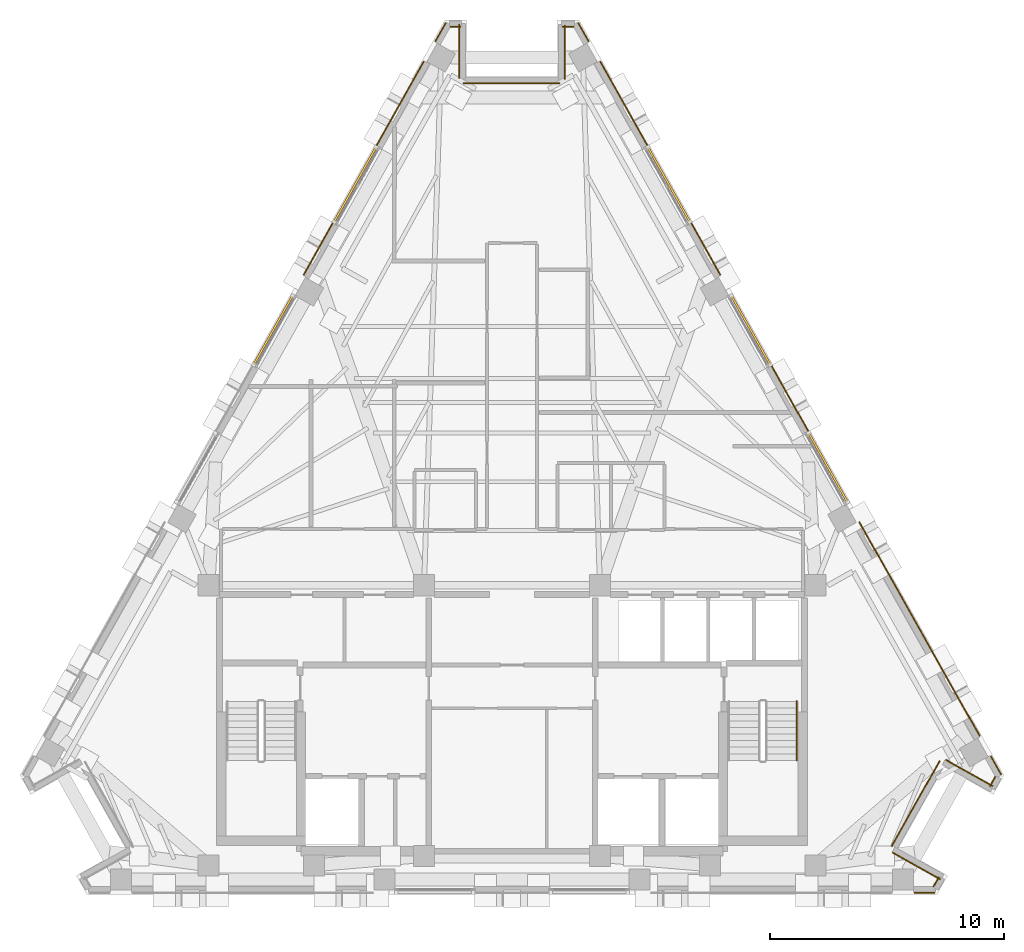
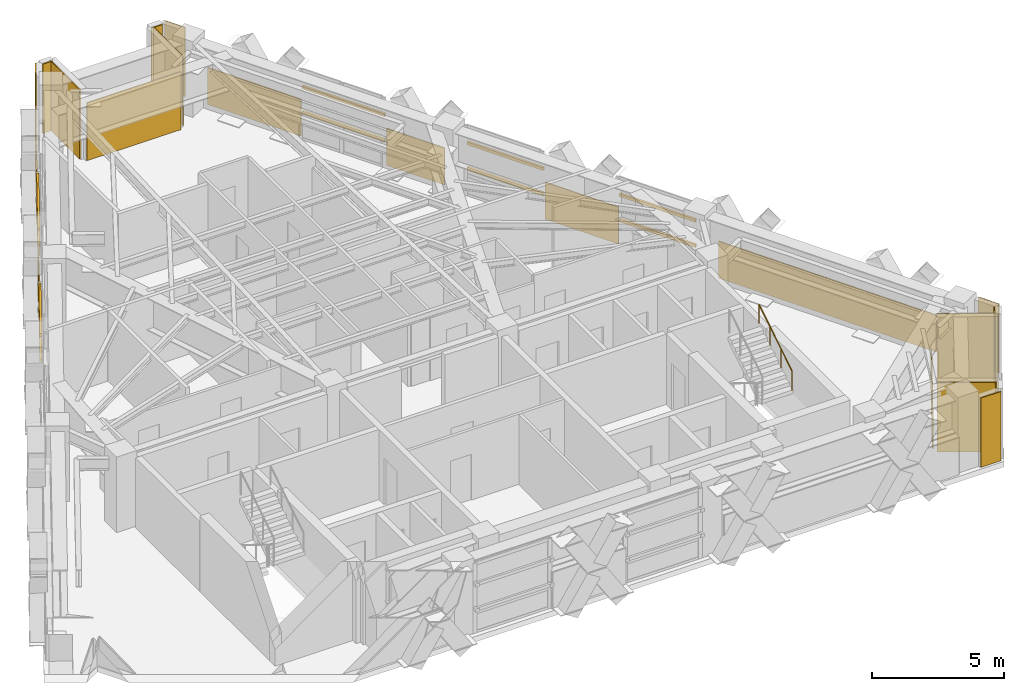
# One storey, part 13 of 13: 20 coverings, 10 shading devices, 1 railing.
"""IFC4 building model written with IfcOpenShell, lengths in metres."""

import ifcopenshell
import ifcopenshell.guid

model = None  # the IFC model being written
_history = None  # IfcOwnerHistory: only IFC2X3 demands one
_inside = {}  # id of a spatial element -> (the spatial element, [elements in it])
_under = {}  # id of a project, library or spatial element -> (it, [spatial elements below it])
_declared = {}  # id of a project -> (the project, [libraries it declares])
_typed = {}  # id of a type object -> (the type object, [elements of that type])
_made_of = {}  # id of a material, layer set ... -> (it, [elements and type objects made of it])


def new_model(schema):
    """Start an empty IFC model of exactly this schema.

    Asked for "IFC4X3", IfcOpenShell would pick the latest addendum, in which some entities
    have other attributes; the version numbers below select the first issue.
    IFC2X3 requires an IfcOwnerHistory on every rooted entity: one is made here for all.
    """
    global model, _history
    if schema == "IFC4X3":
        model = ifcopenshell.file(schema_version=(4, 3, 0, 0))
    else:
        model = ifcopenshell.file(schema=schema)
    _inside.clear()
    _under.clear()
    _declared.clear()
    _typed.clear()
    _made_of.clear()
    _history = None
    if model.schema == "IFC2X3":
        org = make("IfcOrganization", Name="unknown")
        user = make(
            "IfcPersonAndOrganization",
            ThePerson=make("IfcPerson", FamilyName="unknown"),
            TheOrganization=org,
        )
        app = make(
            "IfcApplication",
            ApplicationDeveloper=org,
            Version="unknown",
            ApplicationFullName="unknown",
            ApplicationIdentifier="unknown",
        )
        _history = make(
            "IfcOwnerHistory",
            OwningUser=user,
            OwningApplication=app,
            ChangeAction="ADDED",
            CreationDate=0,
        )
    return model


def make(cls, **values):
    """One entity of the class cls with the attributes given. An attribute that is None is left unset."""
    return model.create_entity(
        cls, **{name: value for name, value in values.items() if value is not None}
    )


def rooted(cls, **values):
    """An entity with a GlobalId (a new one), such as an element, a storey or a relation."""
    return make(cls, GlobalId=ifcopenshell.guid.new(), OwnerHistory=_history, **values)


def si_unit(unit_type, name, prefix=None):
    """IfcSIUnit, for example si_unit("LENGTHUNIT", "METRE", prefix="MILLI")."""
    return make("IfcSIUnit", UnitType=unit_type, Prefix=prefix, Name=name)


def assignment(units):
    """IfcUnitAssignment: the units of a project."""
    return None if units is None else make("IfcUnitAssignment", Units=units)


def point(xyz):
    """IfcCartesianPoint."""
    return None if xyz is None else make("IfcCartesianPoint", Coordinates=xyz)


def direction(xyz):
    """IfcDirection."""
    return None if xyz is None else make("IfcDirection", DirectionRatios=xyz)


def frame(location, z_axis=None, x_axis=None):
    """IfcAxis2Placement3D, a coordinate frame: its origin and axes. An axis left out is left unset."""
    return make(
        "IfcAxis2Placement3D",
        Location=point(location),
        Axis=direction(z_axis),
        RefDirection=direction(x_axis),
    )


def frame_2d(location, x_axis=None):
    """IfcAxis2Placement2D, a coordinate frame in the plane: its origin and x axis."""
    return make(
        "IfcAxis2Placement2D", Location=point(location), RefDirection=direction(x_axis)
    )


def origin():
    """The frame at (0, 0, 0) with its axes left unset."""
    return frame((0.0, 0.0, 0.0))


def origin_2d():
    """The frame at (0, 0) in the plane with its x axis left unset."""
    return frame_2d((0.0, 0.0))


def place(relative_to, where):
    """IfcLocalPlacement: puts the frame where relative to a parent placement (None: the world)."""
    return make(
        "IfcLocalPlacement", PlacementRelTo=relative_to, RelativePlacement=where
    )


def context(
    kind, dimensions, precision=None, world=None, true_north=None, identifier=None
):
    """IfcGeometricRepresentationContext, for example the 3D "Model" context."""
    return make(
        "IfcGeometricRepresentationContext",
        ContextIdentifier=identifier,
        ContextType=kind,
        CoordinateSpaceDimension=dimensions,
        Precision=precision,
        WorldCoordinateSystem=world,
        TrueNorth=true_north,
    )


def subcontext(parent, identifier, kind, view, scale=None):
    """IfcGeometricRepresentationSubContext, for example "Body" below "Model"."""
    return make(
        "IfcGeometricRepresentationSubContext",
        ContextIdentifier=identifier,
        ContextType=kind,
        ParentContext=parent,
        TargetScale=scale,
        TargetView=view,
    )


def project(units=None, contexts=None):
    """IfcProject with its units and contexts."""
    return rooted(
        "IfcProject",
        Name="project",
        RepresentationContexts=contexts,
        UnitsInContext=assignment(units),
    )


def spatial(cls, under=None, at=None, **own):
    """A site, building, storey or space (cls), placed at a placement, below another one or the project."""
    s = rooted(cls, ObjectPlacement=at, **own)
    if under is not None:
        _under.setdefault(under.id(), (under, []))[1].append(s)
    return s


def polyline(points):
    """IfcPolyline through the points."""
    return make("IfcPolyline", Points=[point(p) for p in points])


def profile(cls, at=None, kind="AREA", **sizes):
    """A parametric profile (cls). Its sizes go by their IFC names, for example OverallWidth=200.0."""
    return make(cls, ProfileType=kind, Position=at, **sizes)


def rectangle(**sizes):
    """IfcRectangleProfileDef."""
    return profile("IfcRectangleProfileDef", **sizes)


def circle(**sizes):
    """IfcCircleProfileDef."""
    return profile("IfcCircleProfileDef", **sizes)


def outline(outer, holes=None, kind="AREA"):
    """IfcArbitraryClosedProfileDef: a profile drawn as a closed curve; with holes, ...WithVoids."""
    if holes is None:
        return make("IfcArbitraryClosedProfileDef", ProfileType=kind, OuterCurve=outer)
    return make(
        "IfcArbitraryProfileDefWithVoids",
        ProfileType=kind,
        OuterCurve=outer,
        InnerCurves=holes,
    )


def extrude(swept, where, along, depth):
    """IfcExtrudedAreaSolid: the profile swept, set in the frame where, extruded along a direction by depth."""
    return make(
        "IfcExtrudedAreaSolid",
        SweptArea=swept,
        Position=where,
        ExtrudedDirection=direction(along),
        Depth=depth,
    )


def shape(context_of_items, identifier, shape_type, items):
    """IfcShapeRepresentation: the items that make up one representation, for example the "Body"."""
    return make(
        "IfcShapeRepresentation",
        ContextOfItems=context_of_items,
        RepresentationIdentifier=identifier,
        RepresentationType=shape_type,
        Items=items,
    )


def material(Name=None, Category=None):
    """IfcMaterial."""
    return make("IfcMaterial", Name=Name, Category=Category)


def layer(
    of_material, thickness, ventilated=None, Name=None, Category=None, Priority=None
):
    """IfcMaterialLayer: one layer of a wall or slab, of a material (None: an air gap)."""
    return make(
        "IfcMaterialLayer",
        Material=of_material,
        LayerThickness=thickness,
        IsVentilated=ventilated,
        Name=Name,
        Category=Category,
        Priority=Priority,
    )


def layer_set(layers, Name=None):
    """IfcMaterialLayerSet."""
    return make("IfcMaterialLayerSet", MaterialLayers=layers, LayerSetName=Name)


def material_profile(
    of_material, cross_section, Name=None, Category=None, Priority=None
):
    """IfcMaterialProfile: a cross section and its material."""
    return make(
        "IfcMaterialProfile",
        Name=Name,
        Material=of_material,
        Profile=cross_section,
        Priority=Priority,
        Category=Category,
    )


def profile_set(profiles, Name=None, composite=None):
    """IfcMaterialProfileSet."""
    return make(
        "IfcMaterialProfileSet",
        Name=Name,
        MaterialProfiles=profiles,
        CompositeProfile=composite,
    )


def made_of(thing, what):
    """Note that an element or type object is made of a material, layer set ...; save() writes the relation."""
    if what is not None:
        _made_of.setdefault(what.id(), (what, []))[1].append(thing)
    return thing


def type_object(cls, material=None, **own):
    """A type object (cls), such as IfcWallType, which elements share."""
    return made_of(rooted(cls, **own), material)


def element(
    cls,
    number,
    at=None,
    inside=None,
    cuts=None,
    type_object=None,
    material=None,
    context=None,
    identifier="Body",
    shape_type=None,
    held_by="IfcProductDefinitionShape",
    body=None,
    shapes=None,
    **own,
):
    """One element of the class cls, such as IfcWall. Its Tag is "e" and its number.

    at: its placement. inside: the storey or other place that contains it. cuts: it is an
    opening in that element (IfcRelVoidsElement). A single representation is given by context,
    identifier, shape_type and body (its items); several are given by shapes. held_by: the class
    of the entity that holds the representations. save() writes the other relations.
    """
    e = rooted(cls, Tag="e%d" % number, ObjectPlacement=at, **own)
    if body is not None:
        shapes = [shape(context, identifier, shape_type, body)]
    if shapes is not None:
        e.Representation = make(held_by, Representations=shapes)
    if inside is not None:
        _inside.setdefault(inside.id(), (inside, []))[1].append(e)
    if cuts is not None:
        rooted(
            "IfcRelVoidsElement", RelatingBuildingElement=cuts, RelatedOpeningElement=e
        )
    if type_object is not None:
        _typed.setdefault(type_object.id(), (type_object, []))[1].append(e)
    return made_of(e, material)


def aggregate(whole, parts):
    """IfcRelAggregates: a whole, such as a stair, and the parts it consists of."""
    return rooted("IfcRelAggregates", RelatingObject=whole, RelatedObjects=parts)


def save(model, path):
    """Write the relations noted so far, then the file.

    IfcRelAggregates (storeys below a building ...), IfcRelContainedInSpatialStructure (elements
    in a storey), IfcRelDefinesByType, IfcRelAssociatesMaterial and IfcRelDeclares: one each for
    every whole, place, type object, material and project.
    """
    for whole, parts in _under.values():
        aggregate(whole, parts)
    for where, things in _inside.values():
        rooted(
            "IfcRelContainedInSpatialStructure",
            RelatedElements=things,
            RelatingStructure=where,
        )
    for kind, things in _typed.values():
        rooted("IfcRelDefinesByType", RelatedObjects=things, RelatingType=kind)
    for what, things in _made_of.values():
        rooted("IfcRelAssociatesMaterial", RelatedObjects=things, RelatingMaterial=what)
    for by, libraries in _declared.values():
        rooted("IfcRelDeclares", RelatingContext=by, RelatedDefinitions=libraries)
    model.write(path)


model = new_model("IFC4")

# Units and contexts
model_context = context("Model", 3, precision=1e-05, world=origin(), true_north=direction((0.0, 1.0)))
body_context = subcontext(model_context, "Body", "Model", "MODEL_VIEW")
ifc_project = project(units=[si_unit("LENGTHUNIT", "METRE"), si_unit("AREAUNIT", "SQUARE_METRE"), si_unit("VOLUMEUNIT", "CUBIC_METRE"), si_unit("PLANEANGLEUNIT", "RADIAN"), si_unit("MASSUNIT", "GRAM", prefix="KILO")], contexts=[model_context])

# Site, building, storey
site_placement = place(None, origin())
site = spatial("IfcSite", under=ifc_project, at=site_placement, CompositionType="ELEMENT")
building_placement = place(site_placement, origin())
building = spatial("IfcBuilding", under=site, at=building_placement, Name="Quenlor Broadcast Tower", CompositionType="ELEMENT")
storey_placement = place(building_placement, frame((0.0, 0.0, 225.39990234375)))
storey = spatial("IfcBuildingStorey", under=building, at=storey_placement, Name="L62", CompositionType="ELEMENT", Elevation=225.39990234375)

# Shading devices
ifc_material_1 = material(Name="Architectural Terracotta Ceramic", Category="masonry")
ifc_material_profile = material_profile(ifc_material_1, rectangle(XDim=0.090087890625, YDim=0.139892578125, at=origin_2d()))
ifc_profile_set = profile_set([ifc_material_profile], Name="Architectural Terracotta Ceramic BAG90x140")
shading_device_type = type_object("IfcShadingDeviceType", Name="Copper Terracotta Baguette Solar Screen 140", PredefinedType="USERDEFINED", material=ifc_profile_set)
for number, where, z_axis, x_axis, name in (
    (1, (5.80029296875, 13.88037109375, 1.170166015625), (0.490232575405, -0.871591660132, 0.0), (0.871591660132, 0.490232575405, 0.0), "L62 Terracotta Baguette Screen 1"),
    (2, (5.80029296875, 13.88037109375, 2.340087890625), (0.490232575405, -0.871591660132, 0.0), (0.871591660132, 0.490232575405, 0.0), "L62 Terracotta Baguette Screen 2"),
):
    element("IfcShadingDevice", number, at=place(storey_placement, frame(where, z_axis=z_axis, x_axis=x_axis)), inside=storey, type_object=shading_device_type, Name=name, ObjectType="BAGUETTE", PredefinedType="USERDEFINED", context=body_context, shape_type="SweptSolid", body=[
        extrude(rectangle(XDim=0.090087890625, YDim=0.139892578125, at=origin_2d()), origin(), (0.0, 0.0, 1.0), 3.639404296875),
    ])
for number, where, z_axis, x_axis, name in (
    (3, (9.3642578125, 7.54443359375, 1.170166015625), (0.490250903893, -0.871581350897, 0.0), (0.871581350897, 0.490250903893, 0.0), "L62 Terracotta Baguette Screen 1"),
    (4, (9.3642578125, 7.54443359375, 2.340087890625), (0.490250903893, -0.871581350897, 0.0), (0.871581350897, 0.490250903893, 0.0), "L62 Terracotta Baguette Screen 2"),
):
    element("IfcShadingDevice", number, at=place(storey_placement, frame(where, z_axis=z_axis, x_axis=x_axis)), inside=storey, type_object=shading_device_type, Name=name, ObjectType="BAGUETTE", PredefinedType="USERDEFINED", context=body_context, shape_type="SweptSolid", body=[
        extrude(rectangle(XDim=0.090087890625, YDim=0.139892578125, at=origin_2d()), origin(), (0.0, 0.0, 1.0), 3.364501953125),
    ])
for number, where, z_axis, x_axis, name in (
    (5, (12.65869140625, 1.68798828125, 1.170166015625), (0.490195776457, -0.871612356925, 0.0), (0.871612356925, 0.490195776457, 0.0), "L62 Terracotta Baguette Screen 1"),
    (6, (12.65869140625, 1.68798828125, 2.340087890625), (0.490195776457, -0.871612356925, 0.0), (0.871612356925, 0.490195776457, 0.0), "L62 Terracotta Baguette Screen 2"),
):
    element("IfcShadingDevice", number, at=place(storey_placement, frame(where, z_axis=z_axis, x_axis=x_axis)), inside=storey, type_object=shading_device_type, Name=name, ObjectType="BAGUETTE", PredefinedType="USERDEFINED", context=body_context, shape_type="SweptSolid", body=[
        extrude(rectangle(XDim=0.090087890625, YDim=0.139892578125, at=origin_2d()), origin(), (0.0, 0.0, 1.0), 3.3642578125),
    ])
for number, where, z_axis, x_axis, name in (
    (7, (-7.58447265625, 10.708251953125, 1.170166015625), (0.490232575405, 0.871591660132, 0.0), (-0.871591660132, 0.490232575405, 0.0), "L62 Terracotta Baguette Screen 1"),
    (8, (-7.58447265625, 10.708251953125, 2.340087890625), (0.490232575405, 0.871591660132, 0.0), (-0.871591660132, 0.490232575405, 0.0), "L62 Terracotta Baguette Screen 2"),
):
    element("IfcShadingDevice", number, at=place(storey_placement, frame(where, z_axis=z_axis, x_axis=x_axis)), inside=storey, type_object=shading_device_type, Name=name, ObjectType="BAGUETTE", PredefinedType="USERDEFINED", context=body_context, shape_type="SweptSolid", body=[
        extrude(rectangle(XDim=0.090087890625, YDim=0.139892578125, at=origin_2d()), origin(), (0.0, 0.0, 1.0), 3.639404296875),
    ])
for number, where, z_axis, x_axis, name in (
    (9, (-11.013671875, 4.612060546875, 1.170166015625), (0.490250903893, 0.871581350897, 0.0), (-0.871581350897, 0.490250903893, 0.0), "L62 Terracotta Baguette Screen 1"),
    (10, (-11.013671875, 4.612060546875, 2.340087890625), (0.490250903893, 0.871581350897, 0.0), (-0.871581350897, 0.490250903893, 0.0), "L62 Terracotta Baguette Screen 2"),
):
    element("IfcShadingDevice", number, at=place(storey_placement, frame(where, z_axis=z_axis, x_axis=x_axis)), inside=storey, type_object=shading_device_type, Name=name, ObjectType="BAGUETTE", PredefinedType="USERDEFINED", context=body_context, shape_type="SweptSolid", body=[
        extrude(rectangle(XDim=0.090087890625, YDim=0.139892578125, at=origin_2d()), origin(), (0.0, 0.0, 1.0), 3.364501953125),
    ])

# Coverings
ifc_material_2 = material(Name="Architectural Terracotta Ceramic", Category="masonry")
ifc_layer = layer(ifc_material_2, 0.044921875)
ifc_layer_set = layer_set([ifc_layer], Name="Fluted Terracotta Rainscreen Cladding Panel")
covering_type = type_object("IfcCoveringType", Name="Fluted Terracotta Rainscreen Cladding Panel", PredefinedType="CLADDING", material=ifc_layer_set)
covering_1_placement = place(storey_placement, frame((0.0, 0.0, 0.02001953125)))
element("IfcCovering", 11, at=covering_1_placement, inside=storey, type_object=covering_type, Name="L62 Terracotta Rainscreen Cladding L62-SHD-SS0", PredefinedType="CLADDING", context=body_context, shape_type="SweptSolid", body=[
    extrude(outline(polyline([(18.035888671875, -17.886962890625), (17.160888671875, -17.886962890625), (17.160888671875, -17.931884765625), (18.035888671875, -17.931884765625), (18.035888671875, -17.886962890625)])), origin(), (0.0, 0.0, 1.0), 3.2099609375),
])
covering_2_placement = place(storey_placement, frame((0.0, 0.0, 0.02001953125)))
element("IfcCovering", 12, at=covering_2_placement, inside=storey, type_object=covering_type, Name="L62 Terracotta Rainscreen Cladding L62-SHD-NES0", PredefinedType="CLADDING", context=body_context, shape_type="SweptSolid", body=[
    extrude(outline(polyline([(2.8076171875, 19.17822265625), (3.250732421875, 18.390380859375), (3.2900390625, 18.412353515625), (2.8466796875, 19.2001953125), (2.8076171875, 19.17822265625)])), origin(), (0.0, 0.0, 1.0), 3.2099609375),
])
covering_3_placement = place(storey_placement, frame((0.0, 0.0, 0.02001953125)))
element("IfcCovering", 13, at=covering_3_placement, inside=storey, type_object=covering_type, Name="L62 Terracotta Rainscreen Cladding L62-SHD-NES1", PredefinedType="CLADDING", context=body_context, shape_type="SweptSolid", body=[
    extrude(outline(polyline([(20.402099609375, -12.10107421875), (20.845458984375, -12.888916015625), (20.884521484375, -12.866943359375), (20.44140625, -12.0791015625), (20.402099609375, -12.10107421875)])), origin(), (0.0, 0.0, 1.0), 3.2099609375),
])
covering_4_placement = place(storey_placement, frame((0.0, 0.0, 0.02001953125)))
element("IfcCovering", 14, at=covering_4_placement, inside=storey, type_object=covering_type, Name="L62 Terracotta Rainscreen Cladding L62-NEA-SP1", PredefinedType="CLADDING", context=body_context, shape_type="SweptSolid", body=[
    extrude(outline(polyline([(3.744873046875, 17.532470703125), (5.76806640625, 13.935546875), (5.80712890625, 13.95751953125), (3.7841796875, 17.554443359375), (3.744873046875, 17.532470703125)])), origin(), (0.0, 0.0, 1.0), 1.7099609375),
])
covering_5_placement = place(storey_placement, frame((0.0, 0.0, 0.02001953125)))
element("IfcCovering", 15, at=covering_5_placement, inside=storey, type_object=covering_type, Name="L62 Terracotta Rainscreen Cladding L62-NEA-SP2", PredefinedType="CLADDING", context=body_context, shape_type="SweptSolid", body=[
    extrude(outline(polyline([(7.614990234375, 10.652099609375), (8.86865234375, 8.42333984375), (8.907958984375, 8.4453125), (7.654296875, 10.674072265625), (7.614990234375, 10.652099609375)])), origin(), (0.0, 0.0, 1.0), 1.7099609375),
])
covering_6_placement = place(storey_placement, frame((0.0, 0.0, 0.02001953125)))
element("IfcCovering", 16, at=covering_6_placement, inside=storey, type_object=covering_type, Name="L62 Terracotta Rainscreen Cladding L62-EW-NEC", PredefinedType="CLADDING", context=body_context, shape_type="SweptSolid", body=[
    extrude(outline(polyline([(14.7919921875, -2.106689453125), (19.935302734375, -11.250732421875), (19.974609375, -11.228759765625), (14.831298828125, -2.084716796875), (14.7919921875, -2.106689453125)])), origin(), (0.0, 0.0, 1.0), 1.7099609375),
])
covering_7_placement = place(storey_placement, frame((0.0, 0.0, 0.02001953125)))
element("IfcCovering", 17, at=covering_7_placement, inside=storey, type_object=covering_type, Name="L62 Terracotta Rainscreen Cladding L62-NE-SP1", PredefinedType="CLADDING", context=body_context, shape_type="SweptSolid", body=[
    extrude(outline(polyline([(11.044189453125, 4.555908203125), (12.626220703125, 1.7431640625), (12.66552734375, 1.76513671875), (11.08349609375, 4.577880859375), (11.044189453125, 4.555908203125)])), origin(), (0.0, 0.0, 1.0), 1.7099609375),
])
covering_8_placement = place(storey_placement, frame((0.0, 0.0, 0.02001953125)))
element("IfcCovering", 18, at=covering_8_placement, inside=storey, type_object=covering_type, Name="L62 Terracotta Rainscreen Cladding L62-SHD-NWS1", PredefinedType="CLADDING", context=body_context, shape_type="SweptSolid", body=[
    extrude(outline(polyline([(-3.250732421875, 18.390380859375), (-2.8076171875, 19.17822265625), (-2.8466796875, 19.2001953125), (-3.2900390625, 18.412353515625), (-3.250732421875, 18.390380859375)])), origin(), (0.0, 0.0, 1.0), 3.2099609375),
])
covering_9_placement = place(storey_placement, frame((0.0, 0.0, 0.02001953125)))
element("IfcCovering", 19, at=covering_9_placement, inside=storey, type_object=covering_type, Name="L62 Terracotta Rainscreen Cladding L62-NWC-SP1", PredefinedType="CLADDING", context=body_context, shape_type="SweptSolid", body=[
    extrude(outline(polyline([(-8.86865234375, 8.42333984375), (-7.614990234375, 10.652099609375), (-7.654296875, 10.674072265625), (-8.907958984375, 8.4453125), (-8.86865234375, 8.42333984375)])), origin(), (0.0, 0.0, 1.0), 1.7099609375),
])
covering_10_placement = place(storey_placement, frame((0.0, 0.0, 0.02001953125)))
element("IfcCovering", 20, at=covering_10_placement, inside=storey, type_object=covering_type, Name="L62 Terracotta Rainscreen Cladding L62-NWC-SP2", PredefinedType="CLADDING", context=body_context, shape_type="SweptSolid", body=[
    extrude(outline(polyline([(-5.76806640625, 13.935546875), (-3.744873046875, 17.532470703125), (-3.7841796875, 17.554443359375), (-5.80712890625, 13.95751953125), (-5.76806640625, 13.935546875)])), origin(), (0.0, 0.0, 1.0), 1.7099609375),
])
covering_11_placement = place(storey_placement, frame((0.0, 0.0, 0.02001953125)))
element("IfcCovering", 21, at=covering_11_placement, inside=storey, type_object=covering_type, Name="L62 Terracotta Rainscreen Cladding L62-CNR-01", PredefinedType="CLADDING", context=body_context, shape_type="SweptSolid", body=[
    extrude(outline(polyline([(18.284912109375, -17.329833984375), (16.245361328125, -16.1826171875), (16.223388671875, -16.2216796875), (18.262939453125, -17.368896484375), (18.284912109375, -17.329833984375)])), origin(), (0.0, 0.0, 1.0), 3.2099609375),
])
covering_12_placement = place(storey_placement, frame((0.0, 0.0, 0.02001953125)))
element("IfcCovering", 22, at=covering_12_placement, inside=storey, type_object=covering_type, Name="L62 Terracotta Rainscreen Cladding L62-CNR-02", PredefinedType="CLADDING", context=body_context, shape_type="SweptSolid", body=[
    extrude(outline(polyline([(16.2109375, -15.954345703125), (18.264892578125, -12.302734375), (18.225830078125, -12.28076171875), (16.171630859375, -15.932373046875), (16.2109375, -15.954345703125)])), origin(), (0.0, 0.0, 1.0), 1.7099609375),
])
covering_13_placement = place(storey_placement, frame((0.0, 0.0, 0.02001953125)))
element("IfcCovering", 23, at=covering_13_placement, inside=storey, type_object=covering_type, Name="L62 Terracotta Rainscreen Cladding L62-CNR-03", PredefinedType="CLADDING", context=body_context, shape_type="SweptSolid", body=[
    extrude(outline(polyline([(18.493408203125, -12.268310546875), (20.497802734375, -13.39599609375), (20.52001953125, -13.356689453125), (18.515380859375, -12.22900390625), (18.493408203125, -12.268310546875)])), origin(), (0.0, 0.0, 1.0), 3.2099609375),
])
covering_14_placement = place(storey_placement, frame((0.0, 0.0, 0.02001953125)))
element("IfcCovering", 24, at=covering_14_placement, inside=storey, type_object=covering_type, Name="L62 Terracotta Rainscreen Cladding L62-CNR-04", PredefinedType="CLADDING", context=body_context, shape_type="SweptSolid", body=[
    extrude(outline(polyline([(20.40576171875, -13.39208984375), (20.64306640625, -12.970458984375), (20.60400390625, -12.948486328125), (20.36669921875, -13.3701171875), (20.40576171875, -13.39208984375)])), origin(), (0.0, 0.0, 1.0), 3.2099609375),
])
covering_15_placement = place(storey_placement, frame((0.0, 0.0, 0.02001953125)))
element("IfcCovering", 25, at=covering_15_placement, inside=storey, type_object=covering_type, Name="L62 Terracotta Rainscreen Cladding L62-CNR-06", PredefinedType="CLADDING", context=body_context, shape_type="SweptSolid", body=[
    extrude(outline(polyline([(2.62841796875, 19.0400390625), (2.13623046875, 19.0400390625), (2.13623046875, 18.9951171875), (2.62841796875, 18.9951171875), (2.62841796875, 19.0400390625)])), origin(), (0.0, 0.0, 1.0), 3.2099609375),
])
covering_16_placement = place(storey_placement, frame((0.0, 0.0, 0.02001953125)))
element("IfcCovering", 26, at=covering_16_placement, inside=storey, type_object=covering_type, Name="L62 Terracotta Rainscreen Cladding L62-CNR-07", PredefinedType="CLADDING", context=body_context, shape_type="SweptSolid", body=[
    extrude(outline(polyline([(2.21826171875, 19.08203125), (2.21826171875, 16.781982421875), (2.26318359375, 16.781982421875), (2.26318359375, 19.08203125), (2.21826171875, 19.08203125)])), origin(), (0.0, 0.0, 1.0), 3.2099609375),
])
covering_17_placement = place(storey_placement, frame((0.0, 0.0, 0.02001953125)))
element("IfcCovering", 27, at=covering_17_placement, inside=storey, type_object=covering_type, Name="L62 Terracotta Rainscreen Cladding L62-CNR-08", PredefinedType="CLADDING", context=body_context, shape_type="SweptSolid", body=[
    extrude(outline(polyline([(2.0361328125, 16.639892578125), (-2.076171875, 16.639892578125), (-2.076171875, 16.594970703125), (2.0361328125, 16.594970703125), (2.0361328125, 16.639892578125)])), origin(), (0.0, 0.0, 1.0), 2.677001953125),
])
covering_18_placement = place(storey_placement, frame((0.0, 0.0, 0.02001953125)))
element("IfcCovering", 28, at=covering_18_placement, inside=storey, type_object=covering_type, Name="L62 Terracotta Rainscreen Cladding L62-CNR-09", PredefinedType="CLADDING", context=body_context, shape_type="SweptSolid", body=[
    extrude(outline(polyline([(-2.21826171875, 16.822021484375), (-2.21826171875, 19.1220703125), (-2.26318359375, 19.1220703125), (-2.26318359375, 16.822021484375), (-2.21826171875, 16.822021484375)])), origin(), (0.0, 0.0, 1.0), 3.2099609375),
])
covering_19_placement = place(storey_placement, frame((0.0, 0.0, 0.02001953125)))
element("IfcCovering", 29, at=covering_19_placement, inside=storey, type_object=covering_type, Name="L62 Terracotta Rainscreen Cladding L62-CNR-10", PredefinedType="CLADDING", context=body_context, shape_type="SweptSolid", body=[
    extrude(outline(polyline([(-2.17626953125, 19.0400390625), (-2.62841796875, 19.0400390625), (-2.62841796875, 18.9951171875), (-2.17626953125, 18.9951171875), (-2.17626953125, 19.0400390625)])), origin(), (0.0, 0.0, 1.0), 3.2099609375),
])
covering_20_placement = place(storey_placement, frame((0.0, 0.0, 0.02001953125)))
element("IfcCovering", 30, at=covering_20_placement, inside=storey, type_object=covering_type, Name="L62 Terracotta Rainscreen Cladding L62-CNR-18", PredefinedType="CLADDING", context=body_context, shape_type="SweptSolid", body=[
    extrude(outline(polyline([(17.99853515625, -17.671630859375), (18.234130859375, -17.2529296875), (18.19482421875, -17.23095703125), (17.959228515625, -17.649658203125), (17.99853515625, -17.671630859375)])), origin(), (0.0, 0.0, 1.0), 3.2099609375),
])

# Railing
ifc_material_3 = material(Name="Anodised Aluminium", Category="aluminium")
railing_type = type_object("IfcRailingType", Name="Stainless Aluminium Wall Handrail 900", PredefinedType="HANDRAIL", material=ifc_material_3)
railing_placement = place(storey_placement, frame((12.14990234375, -12.27001953125, 1.925048828125)))
element("IfcRailing", 31, at=railing_placement, inside=storey, type_object=railing_type, Name="L62 ST-2 stair handrail 2", PredefinedType="HANDRAIL", context=body_context, shape_type="SweptSolid", body=[
    extrude(circle(Radius=0.02392578125, at=origin_2d()), frame((0.0, 0.0, 0.8759765625), z_axis=(0.0, 0.848007534815, 0.529984170421), x_axis=(-1.0, 0.0, 0.0)), (0.0, 0.0, 1.0), 2.9716796875),
    extrude(circle(Radius=0.02099609375, at=origin_2d()), origin(), (0.0, 0.0, 1.0), 0.851806640625),
    extrude(circle(Radius=0.02099609375, at=origin_2d()), frame((0.0, 0.840087890625, 0.52490234375)), (0.0, 0.0, 1.0), 0.851806640625),
    extrude(circle(Radius=0.02099609375, at=origin_2d()), frame((0.0, 1.679931640625, 1.050048828125)), (0.0, 0.0, 1.0), 0.851806640625),
    extrude(circle(Radius=0.02099609375, at=origin_2d()), frame((0.0, 2.52001953125, 1.574951171875)), (0.0, 0.0, 1.0), 0.851806640625),
])

save(model, "model.ifc")
